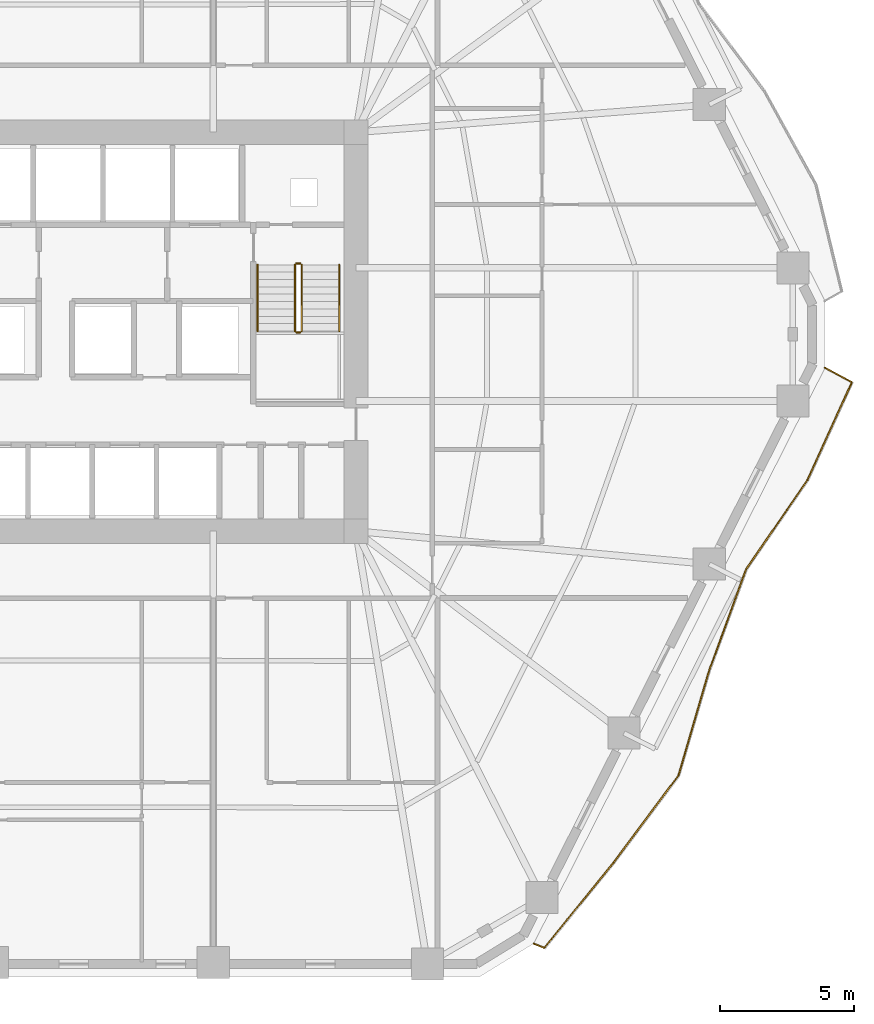
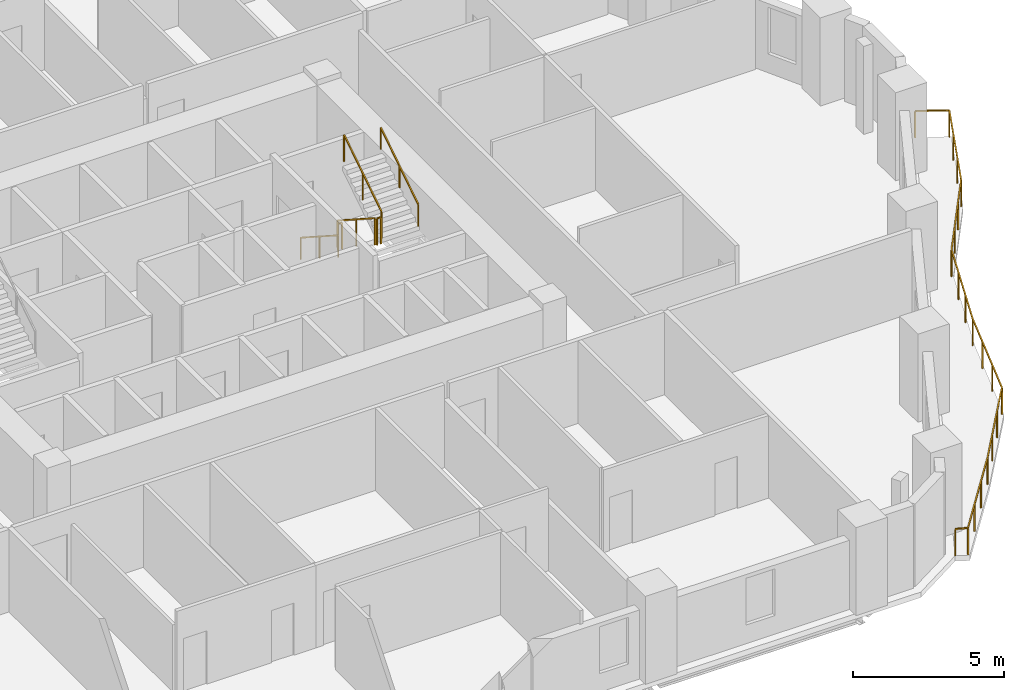
# One storey, part 10 of 11: 7 railings.
"""IFC4 building model written with IfcOpenShell, lengths in metres."""

from ifc_helpers import new_model, si_unit, direction, frame, origin, origin_2d, place, context, subcontext, project, spatial, rectangle, extrude, material, type_object, element, save


model = new_model("IFC4")

# Units and contexts
model_context = context("Model", 3, precision=1e-05, world=origin(), true_north=direction((0.0, 1.0)))
body_context = subcontext(model_context, "Body", "Model", "MODEL_VIEW")
ifc_project = project(units=[si_unit("LENGTHUNIT", "METRE"), si_unit("AREAUNIT", "SQUARE_METRE"), si_unit("VOLUMEUNIT", "CUBIC_METRE"), si_unit("PLANEANGLEUNIT", "RADIAN"), si_unit("MASSUNIT", "GRAM", prefix="KILO")], contexts=[model_context])

# Site, building, storey
site_placement = place(None, origin())
site = spatial("IfcSite", under=ifc_project, at=site_placement, CompositionType="ELEMENT")
building_placement = place(site_placement, origin())
building = spatial("IfcBuilding", under=site, at=building_placement, Name="Cinnabar Lancet Tower", CompositionType="ELEMENT")
storey_placement = place(building_placement, frame((0.0, 0.0, 56.85009765625)))
storey = spatial("IfcBuildingStorey", under=building, at=storey_placement, Name="L14", CompositionType="ELEMENT", Elevation=56.85009765625)

# Railings
ifc_material_1 = material(Name="Laminated safety glass and bronze stainless steel balustrade", Category="steel")
railing_type_1 = type_object("IfcRailingType", Name="ENV-RLG-BAL-1100", PredefinedType="BALUSTRADE", material=ifc_material_1)
railing_1_placement = place(storey_placement, frame((48.488037109375, 3.049072265625, 0.0)))
element("IfcRailing", 1, at=railing_1_placement, inside=storey, type_object=railing_type_1, Name="L14 Face 2 Wave Balcony Balustrade", PredefinedType="BALUSTRADE", context=body_context, shape_type="SweptSolid", body=[
    extrude(rectangle(XDim=0.048095703125, YDim=0.048095703125, at=origin_2d()), frame((0.0, 0.0, 1.076171875), z_axis=(0.924463901024, -0.381269584025, 0.0), x_axis=(0.381269584025, 0.924463901024, 0.0)), (0.0, 0.0, 1.0), 0.42529296875),
    extrude(rectangle(XDim=0.048095703125, YDim=0.048095703125, at=origin_2d()), frame((0.39306640625, -0.162109375, 1.076171875), z_axis=(0.63063298565, 0.776081205423, 0.0), x_axis=(-0.776081205423, 0.63063298565, 0.0)), (0.0, 0.0, 1.0), 4.098876953125),
    extrude(rectangle(XDim=0.048095703125, YDim=0.048095703125, at=origin_2d()), frame((2.97802734375, 3.01904296875, 1.076171875), z_axis=(0.597394291507, 0.801947666917, 0.0), x_axis=(-0.801947666917, 0.597394291507, 0.0)), (0.0, 0.0, 1.0), 4.067626953125),
    extrude(rectangle(XDim=0.048095703125, YDim=0.048095703125, at=origin_2d()), frame((5.407958984375, 6.281005859375, 1.076171875), z_axis=(0.280540664462, 0.959842140971, 0.0), x_axis=(-0.959842140971, 0.280540664462, 0.0)), (0.0, 0.0, 1.0), 4.074462890625),
    extrude(rectangle(XDim=0.048095703125, YDim=0.048095703125, at=origin_2d()), frame((6.551025390625, 10.19189453125, 1.076171875), z_axis=(0.342617774047, 0.939474885725, 0.0), x_axis=(-0.939474885725, 0.342617774047, 0.0)), (0.0, 0.0, 1.0), 4.033203125),
    extrude(rectangle(XDim=0.048095703125, YDim=0.048095703125, at=origin_2d()), frame((7.932861328125, 13.98095703125, 1.076171875), z_axis=(0.566518569867, 0.824048973056, 0.0), x_axis=(-0.824048973056, 0.566518569867, 0.0)), (0.0, 0.0, 1.0), 4.042236328125),
    extrude(rectangle(XDim=0.048095703125, YDim=0.048095703125, at=origin_2d()), frame((10.222900390625, 17.31201171875, 1.076171875), z_axis=(0.413738727653, 0.910395664115, 0.0), x_axis=(-0.910395664115, 0.413738727653, 0.0)), (0.0, 0.0, 1.0), 4.01025390625),
    extrude(rectangle(XDim=0.048095703125, YDim=0.048095703125, at=origin_2d()), frame((11.882080078125, 20.962890625, 1.076171875), z_axis=(-0.880684565953, 0.473703172137, 0.0), x_axis=(-0.473703172137, -0.880684565953, 0.0)), (0.0, 0.0, 1.0), 1.137939453125),
    extrude(rectangle(XDim=0.0419921875, YDim=0.0419921875, at=origin_2d()), origin(), (0.0, 0.0, 1.0), 1.052001953125),
    extrude(rectangle(XDim=0.0419921875, YDim=0.0419921875, at=origin_2d()), frame((0.39306640625, -0.162109375, 0.0)), (0.0, 0.0, 1.0), 1.052001953125),
    extrude(rectangle(XDim=0.0419921875, YDim=0.0419921875, at=origin_2d()), frame((1.254638671875, 0.898193359375, 0.0)), (0.0, 0.0, 1.0), 1.052001953125),
    extrude(rectangle(XDim=0.0419921875, YDim=0.0419921875, at=origin_2d()), frame((2.116455078125, 1.958740234375, 0.0)), (0.0, 0.0, 1.0), 1.052001953125),
    extrude(rectangle(XDim=0.0419921875, YDim=0.0419921875, at=origin_2d()), frame((2.97802734375, 3.01904296875, 0.0)), (0.0, 0.0, 1.0), 1.052001953125),
    extrude(rectangle(XDim=0.0419921875, YDim=0.0419921875, at=origin_2d()), frame((3.7880859375, 4.1064453125, 0.0)), (0.0, 0.0, 1.0), 1.052001953125),
    extrude(rectangle(XDim=0.0419921875, YDim=0.0419921875, at=origin_2d()), frame((4.597900390625, 5.193603515625, 0.0)), (0.0, 0.0, 1.0), 1.052001953125),
    extrude(rectangle(XDim=0.0419921875, YDim=0.0419921875, at=origin_2d()), frame((5.407958984375, 6.281005859375, 0.0)), (0.0, 0.0, 1.0), 1.052001953125),
    extrude(rectangle(XDim=0.0419921875, YDim=0.0419921875, at=origin_2d()), frame((5.7890625, 7.584716796875, 0.0)), (0.0, 0.0, 1.0), 1.052001953125),
    extrude(rectangle(XDim=0.0419921875, YDim=0.0419921875, at=origin_2d()), frame((6.169921875, 8.88818359375, 0.0)), (0.0, 0.0, 1.0), 1.052001953125),
    extrude(rectangle(XDim=0.0419921875, YDim=0.0419921875, at=origin_2d()), frame((6.551025390625, 10.19189453125, 0.0)), (0.0, 0.0, 1.0), 1.052001953125),
    extrude(rectangle(XDim=0.0419921875, YDim=0.0419921875, at=origin_2d()), frame((7.01171875, 11.454833984375, 0.0)), (0.0, 0.0, 1.0), 1.052001953125),
    extrude(rectangle(XDim=0.0419921875, YDim=0.0419921875, at=origin_2d()), frame((7.47216796875, 12.718017578125, 0.0)), (0.0, 0.0, 1.0), 1.052001953125),
    extrude(rectangle(XDim=0.0419921875, YDim=0.0419921875, at=origin_2d()), frame((7.932861328125, 13.98095703125, 0.0)), (0.0, 0.0, 1.0), 1.052001953125),
    extrude(rectangle(XDim=0.0419921875, YDim=0.0419921875, at=origin_2d()), frame((8.6962890625, 15.09130859375, 0.0)), (0.0, 0.0, 1.0), 1.052001953125),
    extrude(rectangle(XDim=0.0419921875, YDim=0.0419921875, at=origin_2d()), frame((9.45947265625, 16.20166015625, 0.0)), (0.0, 0.0, 1.0), 1.052001953125),
    extrude(rectangle(XDim=0.0419921875, YDim=0.0419921875, at=origin_2d()), frame((10.222900390625, 17.31201171875, 0.0)), (0.0, 0.0, 1.0), 1.052001953125),
    extrude(rectangle(XDim=0.0419921875, YDim=0.0419921875, at=origin_2d()), frame((10.77587890625, 18.529052734375, 0.0)), (0.0, 0.0, 1.0), 1.052001953125),
    extrude(rectangle(XDim=0.0419921875, YDim=0.0419921875, at=origin_2d()), frame((11.3291015625, 19.745849609375, 0.0)), (0.0, 0.0, 1.0), 1.052001953125),
    extrude(rectangle(XDim=0.0419921875, YDim=0.0419921875, at=origin_2d()), frame((11.882080078125, 20.962890625, 0.0)), (0.0, 0.0, 1.0), 1.052001953125),
    extrude(rectangle(XDim=0.0419921875, YDim=0.0419921875, at=origin_2d()), frame((10.8798828125, 21.501953125, 0.0)), (0.0, 0.0, 1.0), 1.052001953125),
])
ifc_material_2 = material(Name="Painted galvanized steel balustrade", Category="steel")
railing_type_2 = type_object("IfcRailingType", Name="GUARD-STAIR", PredefinedType="GUARDRAIL", material=ifc_material_2)
railing_2_placement = place(storey_placement, frame((39.574951171875, 28.39990234375, 0.177490234375)))
element("IfcRailing", 2, at=railing_2_placement, inside=storey, type_object=railing_type_2, Name="L14 ST-2 stair guard 1", PredefinedType="GUARDRAIL", context=body_context, shape_type="SweptSolid", body=[
    extrude(rectangle(XDim=0.048095703125, YDim=0.048095703125, at=origin_2d()), frame((0.0, 0.0, 1.076171875), z_axis=(0.0, -0.840183358697, 0.542302428327), x_axis=(1.0, 0.0, 0.0)), (0.0, 0.0, 1.0), 2.945556640625),
    extrude(rectangle(XDim=0.0419921875, YDim=0.0419921875, at=origin_2d()), origin(), (0.0, 0.0, 1.0), 1.052001953125),
    extrude(rectangle(XDim=0.0419921875, YDim=0.0419921875, at=origin_2d()), frame((0.0, -1.2373046875, 0.798828125)), (0.0, 0.0, 1.0), 1.052001953125),
    extrude(rectangle(XDim=0.0419921875, YDim=0.0419921875, at=origin_2d()), frame((0.0, -2.474853515625, 1.597412109375)), (0.0, 0.0, 1.0), 1.052001953125),
])
railing_3_placement = place(storey_placement, frame((39.625, 25.875, 1.77490234375)))
element("IfcRailing", 3, at=railing_3_placement, inside=storey, type_object=railing_type_2, Name="L14 ST-2 stair guard 2", PredefinedType="GUARDRAIL", context=body_context, shape_type="SweptSolid", body=[
    extrude(rectangle(XDim=0.048095703125, YDim=0.048095703125, at=origin_2d()), frame((0.0, 0.0, 1.076171875), z_axis=(1.0, 0.0, 0.0), x_axis=(0.0, 1.0, 0.0)), (0.0, 0.0, 1.0), 0.14990234375),
    extrude(rectangle(XDim=0.0419921875, YDim=0.0419921875, at=origin_2d()), origin(), (0.0, 0.0, 1.0), 1.052001953125),
    extrude(rectangle(XDim=0.0419921875, YDim=0.0419921875, at=origin_2d()), frame((0.14990234375, 0.0, 0.0)), (0.0, 0.0, 1.0), 1.052001953125),
])
railing_4_placement = place(storey_placement, frame((39.824951171875, 25.925048828125, 1.952392578125)))
element("IfcRailing", 4, at=railing_4_placement, inside=storey, type_object=railing_type_2, Name="L14 ST-2 stair guard 3", PredefinedType="GUARDRAIL", context=body_context, shape_type="SweptSolid", body=[
    extrude(rectangle(XDim=0.048095703125, YDim=0.048095703125, at=origin_2d()), frame((0.0, 0.0, 1.076171875), z_axis=(0.0, 0.840183358697, 0.542302428327), x_axis=(-1.0, 0.0, 0.0)), (0.0, 0.0, 1.0), 2.945556640625),
    extrude(rectangle(XDim=0.0419921875, YDim=0.0419921875, at=origin_2d()), origin(), (0.0, 0.0, 1.0), 1.052001953125),
    extrude(rectangle(XDim=0.0419921875, YDim=0.0419921875, at=origin_2d()), frame((0.0, 1.2373046875, 0.798828125)), (0.0, 0.0, 1.0), 1.052001953125),
    extrude(rectangle(XDim=0.0419921875, YDim=0.0419921875, at=origin_2d()), frame((0.0, 2.474853515625, 1.597412109375)), (0.0, 0.0, 1.0), 1.052001953125),
])
railing_5_placement = place(storey_placement, frame((39.625, 28.449951171875, 0.0)))
element("IfcRailing", 5, at=railing_5_placement, inside=storey, type_object=railing_type_2, Name="L14 ST-2 stair guard 4", PredefinedType="GUARDRAIL", context=body_context, shape_type="SweptSolid", body=[
    extrude(rectangle(XDim=0.048095703125, YDim=0.048095703125, at=origin_2d()), frame((0.0, 0.0, 1.076171875), z_axis=(1.0, 0.0, 0.0), x_axis=(0.0, 1.0, 0.0)), (0.0, 0.0, 1.0), 0.14990234375),
    extrude(rectangle(XDim=0.0419921875, YDim=0.0419921875, at=origin_2d()), origin(), (0.0, 0.0, 1.0), 1.052001953125),
    extrude(rectangle(XDim=0.0419921875, YDim=0.0419921875, at=origin_2d()), frame((0.14990234375, 0.0, 0.0)), (0.0, 0.0, 1.0), 1.052001953125),
])
ifc_material_3 = material(Name="Brushed stainless steel handrail", Category="steel")
railing_type_3 = type_object("IfcRailingType", Name="HANDRAIL-STAIR", PredefinedType="HANDRAIL", material=ifc_material_3)
railing_6_placement = place(storey_placement, frame((38.175048828125, 28.39990234375, 0.177490234375)))
element("IfcRailing", 6, at=railing_6_placement, inside=storey, type_object=railing_type_3, Name="L14 ST-2 stair handrail 1", PredefinedType="HANDRAIL", context=body_context, shape_type="SweptSolid", body=[
    extrude(rectangle(XDim=0.048095703125, YDim=0.048095703125, at=origin_2d()), frame((0.0, 0.0, 0.8759765625), z_axis=(0.0, -0.840183358697, 0.542302428327), x_axis=(1.0, 0.0, 0.0)), (0.0, 0.0, 1.0), 2.945556640625),
    extrude(rectangle(XDim=0.0419921875, YDim=0.0419921875, at=origin_2d()), origin(), (0.0, 0.0, 1.0), 0.851806640625),
    extrude(rectangle(XDim=0.0419921875, YDim=0.0419921875, at=origin_2d()), frame((0.0, -1.2373046875, 0.798828125)), (0.0, 0.0, 1.0), 0.851806640625),
    extrude(rectangle(XDim=0.0419921875, YDim=0.0419921875, at=origin_2d()), frame((0.0, -2.474853515625, 1.597412109375)), (0.0, 0.0, 1.0), 0.851806640625),
])
railing_7_placement = place(storey_placement, frame((41.22509765625, 25.925048828125, 1.952392578125)))
element("IfcRailing", 7, at=railing_7_placement, inside=storey, type_object=railing_type_3, Name="L14 ST-2 stair handrail 2", PredefinedType="HANDRAIL", context=body_context, shape_type="SweptSolid", body=[
    extrude(rectangle(XDim=0.048095703125, YDim=0.048095703125, at=origin_2d()), frame((0.0, 0.0, 0.8759765625), z_axis=(0.0, 0.840183358697, 0.542302428327), x_axis=(-1.0, 0.0, 0.0)), (0.0, 0.0, 1.0), 2.945556640625),
    extrude(rectangle(XDim=0.0419921875, YDim=0.0419921875, at=origin_2d()), origin(), (0.0, 0.0, 1.0), 0.851806640625),
    extrude(rectangle(XDim=0.0419921875, YDim=0.0419921875, at=origin_2d()), frame((0.0, 1.2373046875, 0.798828125)), (0.0, 0.0, 1.0), 0.851806640625),
    extrude(rectangle(XDim=0.0419921875, YDim=0.0419921875, at=origin_2d()), frame((0.0, 2.474853515625, 1.597412109375)), (0.0, 0.0, 1.0), 0.851806640625),
])

save(model, "model.ifc")
